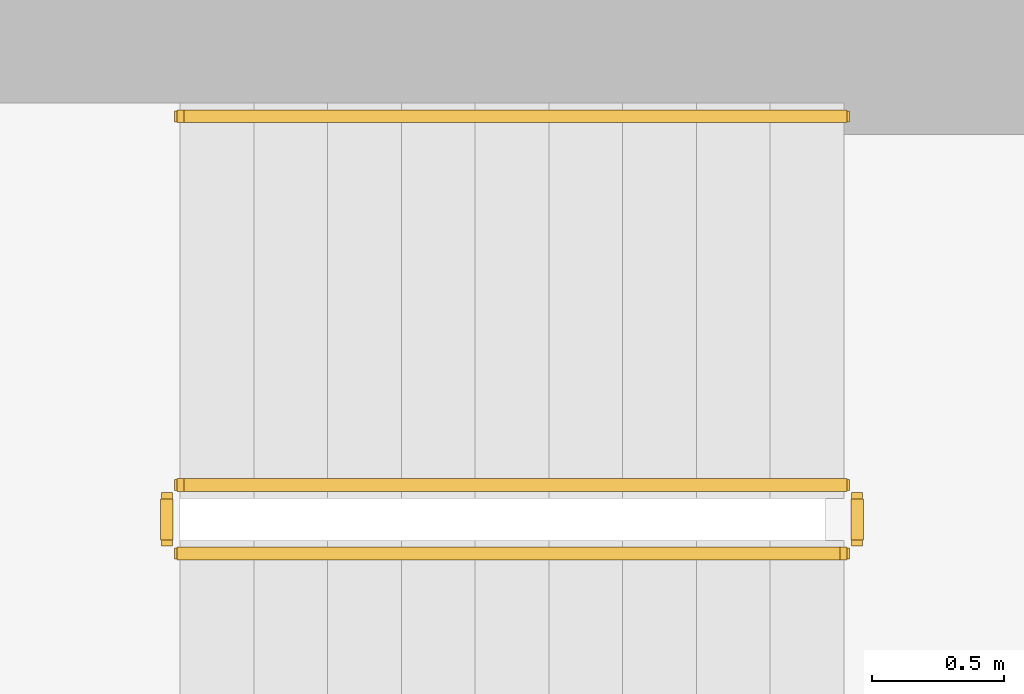
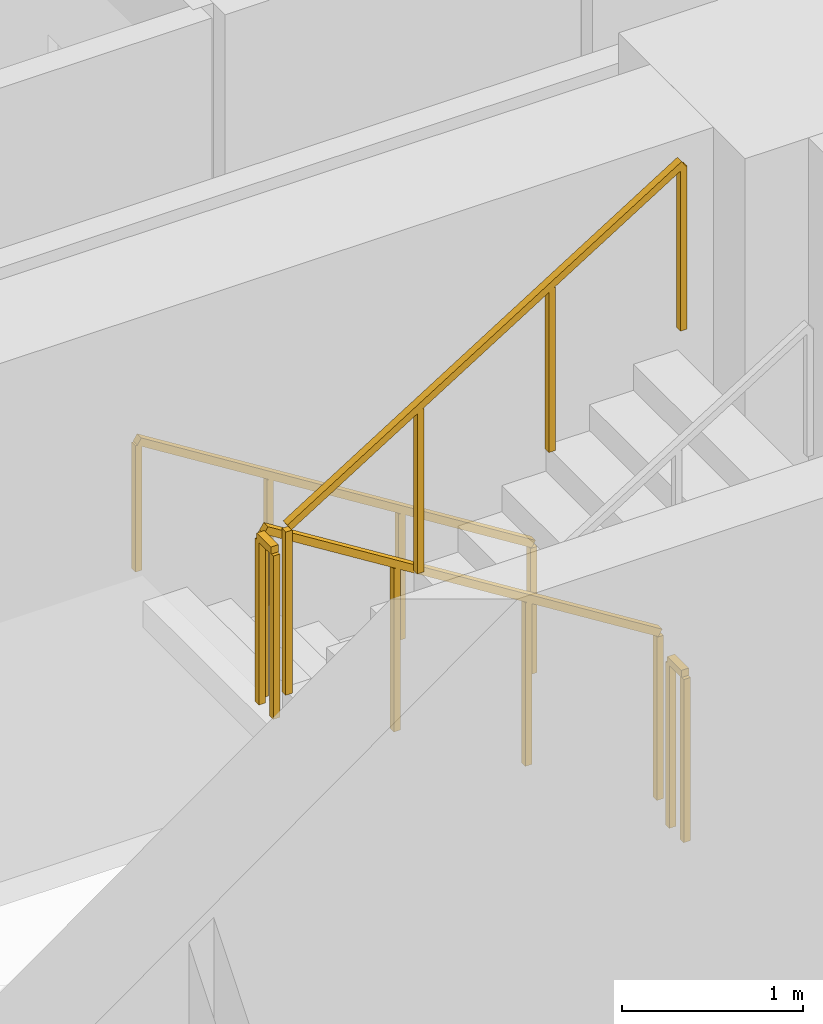
# One storey, part 14 of 16: 5 railings.
"""IFC4 building model written with IfcOpenShell, lengths in metres."""

from ifc_helpers import new_model, si_unit, direction, frame, origin, origin_2d, place, context, subcontext, project, spatial, rectangle, extrude, material, type_object, element, save


model = new_model("IFC4")

# Units and contexts
model_context = context("Model", 3, precision=1e-05, world=origin(), true_north=direction((0.0, 1.0)))
body_context = subcontext(model_context, "Body", "Model", "MODEL_VIEW")
ifc_project = project(units=[si_unit("LENGTHUNIT", "METRE"), si_unit("AREAUNIT", "SQUARE_METRE"), si_unit("VOLUMEUNIT", "CUBIC_METRE"), si_unit("PLANEANGLEUNIT", "RADIAN"), si_unit("MASSUNIT", "GRAM", prefix="KILO")], contexts=[model_context])

# Site, building, storey
site_placement = place(None, origin())
site = spatial("IfcSite", under=ifc_project, at=site_placement, CompositionType="ELEMENT")
building_placement = place(site_placement, origin())
building = spatial("IfcBuilding", under=site, at=building_placement, Name="Zarnavel Station Tower", CompositionType="ELEMENT")
storey_placement = place(building_placement, frame((0.0, 0.0, 53.5)))
storey = spatial("IfcBuildingStorey", under=building, at=storey_placement, Name="L14", CompositionType="ELEMENT", Elevation=53.5)

# Railings
ifc_material_1 = material(Name="Painted Steel S355J2 Balustrade", Category="steel")
railing_type_1 = type_object("IfcRailingType", Name="GR_INT_1150", PredefinedType="GUARDRAIL", material=ifc_material_1)
railing_1_placement = place(storey_placement, frame((19.47998046875, 35.3701171875, 0.175048828125)))
element("IfcRailing", 1, at=railing_1_placement, inside=storey, type_object=railing_type_1, Name="L14 ST1 stair guard 1", PredefinedType="GUARDRAIL", context=body_context, shape_type="SweptSolid", body=[
    extrude(rectangle(XDim=0.048095703125, YDim=0.048095703125, at=origin_2d()), frame((-0.001708984375, 0.0, 1.126953125), z_axis=(-0.848007534815, 0.0, 0.529984170421), x_axis=(0.0, -1.0, 0.0)), (0.0, 0.0, 1.0), 2.9677734375),
    extrude(rectangle(XDim=0.0419921875, YDim=0.0419921875, at=origin_2d()), origin(), (0.0, 0.0, 1.0), 1.101806640625),
    extrude(rectangle(XDim=0.0419921875, YDim=0.0419921875, at=origin_2d()), frame((-0.840087890625, 0.0, 0.52490234375)), (0.0, 0.0, 1.0), 1.101806640625),
    extrude(rectangle(XDim=0.0419921875, YDim=0.0419921875, at=origin_2d()), frame((-1.679931640625, 0.0, 1.050048828125)), (0.0, 0.0, 1.0), 1.101806640625),
    extrude(rectangle(XDim=0.0419921875, YDim=0.0419921875, at=origin_2d()), frame((-2.52001953125, 0.0, 1.574951171875)), (0.0, 0.0, 1.0), 1.101806640625),
])
railing_2_placement = place(storey_placement, frame((16.909912109375, 35.320068359375, 1.75)))
element("IfcRailing", 2, at=railing_2_placement, inside=storey, type_object=railing_type_1, Name="L14 ST1 stair guard 2", PredefinedType="GUARDRAIL", context=body_context, shape_type="SweptSolid", body=[
    extrude(rectangle(XDim=0.048095703125, YDim=0.048095703125, at=origin_2d()), frame((0.0, -0.001953125, 1.1259765625), z_axis=(0.0, -1.0, 0.0), x_axis=(1.0, 0.0, 0.0)), (0.0, 0.0, 1.0), 0.15625),
    extrude(rectangle(XDim=0.0419921875, YDim=0.0419921875, at=origin_2d()), origin(), (0.0, 0.0, 1.0), 1.101806640625),
    extrude(rectangle(XDim=0.0419921875, YDim=0.0419921875, at=origin_2d()), frame((0.0, -0.16015625, 0.0)), (0.0, 0.0, 1.0), 1.101806640625),
])
railing_3_placement = place(storey_placement, frame((16.9599609375, 35.110107421875, 1.925048828125)))
element("IfcRailing", 3, at=railing_3_placement, inside=storey, type_object=railing_type_1, Name="L14 ST1 stair guard 3", PredefinedType="GUARDRAIL", context=body_context, shape_type="SweptSolid", body=[
    extrude(rectangle(XDim=0.048095703125, YDim=0.048095703125, at=origin_2d()), frame((0.001708984375, 0.0, 1.126953125), z_axis=(0.848007534815, 0.0, 0.529984170421), x_axis=(0.0, 1.0, 0.0)), (0.0, 0.0, 1.0), 2.9677734375),
    extrude(rectangle(XDim=0.0419921875, YDim=0.0419921875, at=origin_2d()), origin(), (0.0, 0.0, 1.0), 1.101806640625),
    extrude(rectangle(XDim=0.0419921875, YDim=0.0419921875, at=origin_2d()), frame((0.840087890625, 0.0, 0.52490234375)), (0.0, 0.0, 1.0), 1.101806640625),
    extrude(rectangle(XDim=0.0419921875, YDim=0.0419921875, at=origin_2d()), frame((1.679931640625, 0.0, 1.050048828125)), (0.0, 0.0, 1.0), 1.101806640625),
    extrude(rectangle(XDim=0.0419921875, YDim=0.0419921875, at=origin_2d()), frame((2.52001953125, 0.0, 1.574951171875)), (0.0, 0.0, 1.0), 1.101806640625),
])
railing_4_placement = place(storey_placement, frame((19.530029296875, 35.320068359375, 0.0)))
element("IfcRailing", 4, at=railing_4_placement, inside=storey, type_object=railing_type_1, Name="L14 ST1 stair guard 4", PredefinedType="GUARDRAIL", context=body_context, shape_type="SweptSolid", body=[
    extrude(rectangle(XDim=0.048095703125, YDim=0.048095703125, at=origin_2d()), frame((0.0, -0.001953125, 1.1259765625), z_axis=(0.0, -1.0, 0.0), x_axis=(1.0, 0.0, 0.0)), (0.0, 0.0, 1.0), 0.15625),
    extrude(rectangle(XDim=0.0419921875, YDim=0.0419921875, at=origin_2d()), origin(), (0.0, 0.0, 1.0), 1.101806640625),
    extrude(rectangle(XDim=0.0419921875, YDim=0.0419921875, at=origin_2d()), frame((0.0, -0.16015625, 0.0)), (0.0, 0.0, 1.0), 1.101806640625),
])
ifc_material_2 = material(Name="Brushed Stainless Steel S355J2 Handrail", Category="steel")
railing_type_2 = type_object("IfcRailingType", Name="HR_STAIR_900", PredefinedType="HANDRAIL", material=ifc_material_2)
railing_5_placement = place(storey_placement, frame((19.47998046875, 36.77001953125, 0.175048828125)))
element("IfcRailing", 5, at=railing_5_placement, inside=storey, type_object=railing_type_2, Name="L14 ST1 stair handrail 1", PredefinedType="HANDRAIL", context=body_context, shape_type="SweptSolid", body=[
    extrude(rectangle(XDim=0.048095703125, YDim=0.048095703125, at=origin_2d()), frame((-0.001708984375, 0.0, 0.876953125), z_axis=(-0.848007534815, 0.0, 0.529984170421), x_axis=(0.0, -1.0, 0.0)), (0.0, 0.0, 1.0), 2.9677734375),
    extrude(rectangle(XDim=0.0419921875, YDim=0.0419921875, at=origin_2d()), origin(), (0.0, 0.0, 1.0), 0.851806640625),
    extrude(rectangle(XDim=0.0419921875, YDim=0.0419921875, at=origin_2d()), frame((-0.840087890625, 0.0, 0.52490234375)), (0.0, 0.0, 1.0), 0.851806640625),
    extrude(rectangle(XDim=0.0419921875, YDim=0.0419921875, at=origin_2d()), frame((-1.679931640625, 0.0, 1.050048828125)), (0.0, 0.0, 1.0), 0.851806640625),
    extrude(rectangle(XDim=0.0419921875, YDim=0.0419921875, at=origin_2d()), frame((-2.52001953125, 0.0, 1.574951171875)), (0.0, 0.0, 1.0), 0.851806640625),
])

save(model, "model.ifc")
